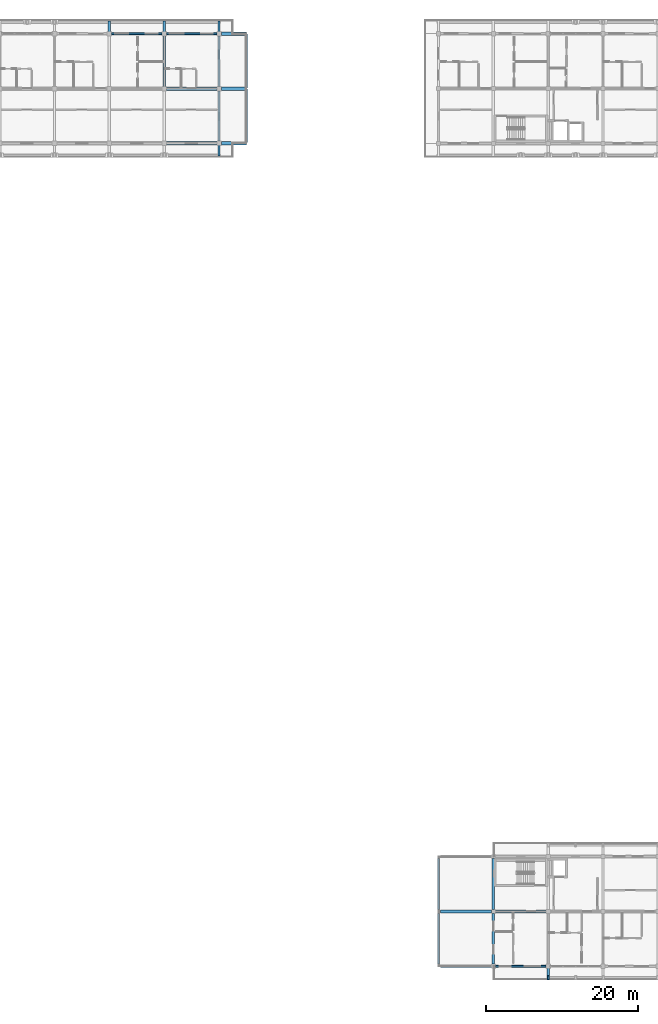
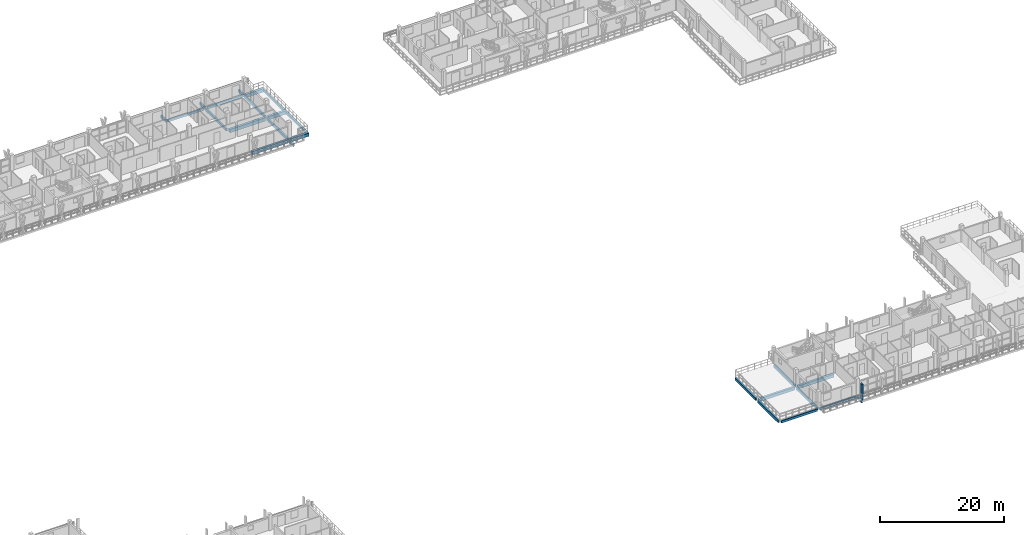
# One storey, part 18 of 65: 25 beams, 1 member.
"""IFC4 building model written with IfcOpenShell, lengths in metres."""

from ifc_helpers import new_model, si_unit, direction, frame, origin, origin_2d, place, context, subcontext, project, spatial, rectangle, extrude, material, material_profile, profile_set, type_object, element, save


model = new_model("IFC4")

# Units and contexts
model_context = context("Model", 3, precision=1e-05, world=origin(), true_north=direction((0.0, 1.0)))
body_context = subcontext(model_context, "Body", "Model", "MODEL_VIEW")
ifc_project = project(units=[si_unit("LENGTHUNIT", "METRE"), si_unit("AREAUNIT", "SQUARE_METRE"), si_unit("VOLUMEUNIT", "CUBIC_METRE"), si_unit("PLANEANGLEUNIT", "RADIAN"), si_unit("MASSUNIT", "GRAM", prefix="KILO")], contexts=[model_context])

# Site, building, storey
site_placement = place(None, origin())
site = spatial("IfcSite", under=ifc_project, at=site_placement, CompositionType="ELEMENT")
building_placement = place(site_placement, origin())
building = spatial("IfcBuilding", under=site, at=building_placement, Name="Suanplinth Sawtooth Commons", CompositionType="ELEMENT")
storey_placement = place(building_placement, frame((0.0, 0.0, 28.300048828125)))
storey = spatial("IfcBuildingStorey", under=building, at=storey_placement, Name="L08", CompositionType="ELEMENT", Elevation=28.300048828125)

# Beams
ifc_material_1 = material(Name="Precast concrete C40/50", Category="concrete")
ifc_material_profile_1 = material_profile(ifc_material_1, rectangle(XDim=0.449951171875, YDim=0.64990234375, at=origin_2d()), Name="PC-GDR 450x650")
ifc_profile_set_1 = profile_set([ifc_material_profile_1], Name="Precast concrete C40/50")
beam_type_1 = type_object("IfcBeamType", Name="B-04", PredefinedType="USERDEFINED", material=ifc_profile_set_1)
for number, where, z_axis, x_axis, name in (
    (1, (93.89990234375, 108.0, -0.53515625), (1.0, 0.0, 0.0), (0.0, 1.0, 0.0), "BMX-L08-A-13-15"),
    (2, (93.89990234375, 115.199951171875, -0.53515625), (1.0, 0.0, 0.0), (0.0, 1.0, 0.0), "BMX-L08-A-13-16"),
):
    element("IfcBeam", number, at=place(storey_placement, frame(where, z_axis=z_axis, x_axis=x_axis)), inside=storey, type_object=beam_type_1, Name=name, ObjectType="GIRDER", PredefinedType="USERDEFINED", context=body_context, shape_type="SweptSolid", body=[
        extrude(rectangle(XDim=0.449951171875, YDim=0.64990234375, at=origin_2d()), origin(), (0.0, 0.0, 1.0), 6.60009765625),
    ])
for number, where, z_axis, x_axis, name in (
    (3, (101.10009765625, 108.0, -0.53515625), (1.0, 0.0, 0.0), (0.0, 1.0, 0.0), "BMX-L08-A-ECANT-15"),
    (4, (101.10009765625, 115.199951171875, -0.53515625), (1.0, 0.0, 0.0), (0.0, 1.0, 0.0), "BMX-L08-A-ECANT-16"),
    (5, (101.10009765625, 122.39990234375, -0.53515625), (1.0, 0.0, 0.0), (0.0, 1.0, 0.0), "BMX-L08-A-ECANT-17"),
):
    element("IfcBeam", number, at=place(storey_placement, frame(where, z_axis=z_axis, x_axis=x_axis)), inside=storey, type_object=beam_type_1, Name=name, ObjectType="GIRDER", PredefinedType="USERDEFINED", context=body_context, shape_type="SweptSolid", body=[
        extrude(rectangle(XDim=0.449951171875, YDim=0.64990234375, at=origin_2d()), origin(), (0.0, 0.0, 1.0), 3.2998046875),
    ])
ifc_material_profile_2 = material_profile(ifc_material_1, rectangle(XDim=0.39990234375, YDim=0.60009765625, at=origin_2d()), Name="PC-GDR 400x600")
ifc_profile_set_2 = profile_set([ifc_material_profile_2], Name="Precast concrete C40/50")
beam_type_2 = type_object("IfcBeamType", Name="B-05", PredefinedType="USERDEFINED", material=ifc_profile_set_2)
beam_1_placement = place(storey_placement, frame((129.875, 7.199951171875, -0.510009765625), z_axis=(1.0, 0.0, 0.0), x_axis=(0.0, 1.0, 0.0)))
element("IfcBeam", 6, at=beam_1_placement, inside=storey, type_object=beam_type_2, Name="BMX-L08-C-18-1", ObjectType="GIRDER", PredefinedType="USERDEFINED", context=body_context, shape_type="SweptSolid", body=[
    extrude(rectangle(XDim=0.39990234375, YDim=0.60009765625, at=origin_2d()), origin(), (0.0, 0.0, 1.0), 6.64990234375),
])
beam_2_placement = place(storey_placement, frame((137.074951171875, 7.199951171875, -0.510009765625), z_axis=(1.0, 0.0, 0.0), x_axis=(0.0, 1.0, 0.0)))
element("IfcBeam", 7, at=beam_2_placement, inside=storey, type_object=beam_type_2, Name="BMX-L08-C-19-1", ObjectType="GIRDER", PredefinedType="USERDEFINED", context=body_context, shape_type="SweptSolid", body=[
    extrude(rectangle(XDim=0.39990234375, YDim=0.60009765625, at=origin_2d()), origin(), (0.0, 0.0, 1.0), 6.650146484375),
])
ifc_material_profile_3 = material_profile(ifc_material_1, rectangle(XDim=0.300048828125, YDim=0.5, at=origin_2d()), Name="PC-BM 300x500")
ifc_profile_set_3 = profile_set([ifc_material_profile_3], Name="Precast concrete C40/50")
beam_type_3 = type_object("IfcBeamType", Name="B-07", PredefinedType="BEAM", material=ifc_profile_set_3)
beam_3_placement = place(storey_placement, frame((93.60009765625, 115.5, -0.4599609375), z_axis=(0.0, 1.0, 0.0), x_axis=(-1.0, 0.0, 0.0)))
element("IfcBeam", 8, at=beam_3_placement, inside=storey, type_object=beam_type_3, Name="BMY-L08-A-13-16", PredefinedType="BEAM", context=body_context, shape_type="SweptSolid", body=[
    extrude(rectangle(XDim=0.300048828125, YDim=0.5, at=origin_2d()), origin(), (0.0, 0.0, 1.0), 6.60009765625),
])
beam_4_placement = place(storey_placement, frame((100.800048828125, 108.300048828125, -0.4599609375), z_axis=(0.0, 1.0, 0.0), x_axis=(-1.0, 0.0, 0.0)))
element("IfcBeam", 9, at=beam_4_placement, inside=storey, type_object=beam_type_3, Name="BMY-L08-A-14-15", PredefinedType="BEAM", context=body_context, shape_type="SweptSolid", body=[
    extrude(rectangle(XDim=0.300048828125, YDim=0.5, at=origin_2d()), origin(), (0.0, 0.0, 1.0), 6.599853515625),
])
beam_5_placement = place(storey_placement, frame((100.800048828125, 115.5, -0.4599609375), z_axis=(0.0, 1.0, 0.0), x_axis=(-1.0, 0.0, 0.0)))
element("IfcBeam", 10, at=beam_5_placement, inside=storey, type_object=beam_type_3, Name="BMY-L08-A-14-16", PredefinedType="BEAM", context=body_context, shape_type="SweptSolid", body=[
    extrude(rectangle(XDim=0.300048828125, YDim=0.5, at=origin_2d()), origin(), (0.0, 0.0, 1.0), 6.60009765625),
])
beam_6_placement = place(storey_placement, frame((129.60009765625, 0.27490234375, -0.4599609375), z_axis=(0.0, 1.0, 0.0), x_axis=(-1.0, 0.0, 0.0)))
element("IfcBeam", 11, at=beam_6_placement, inside=storey, type_object=beam_type_3, Name="BMY-L08-C-18-0", PredefinedType="BEAM", context=body_context, shape_type="SweptSolid", body=[
    extrude(rectangle(XDim=0.300048828125, YDim=0.5, at=origin_2d()), origin(), (0.0, 0.0, 1.0), 6.650146484375),
])
beam_7_placement = place(storey_placement, frame((129.60009765625, 7.47509765625, -0.4599609375), z_axis=(0.0, 1.0, 0.0), x_axis=(-1.0, 0.0, 0.0)))
element("IfcBeam", 12, at=beam_7_placement, inside=storey, type_object=beam_type_3, Name="BMY-L08-C-18-1", PredefinedType="BEAM", context=body_context, shape_type="SweptSolid", body=[
    extrude(rectangle(XDim=0.300048828125, YDim=0.5, at=origin_2d()), origin(), (0.0, 0.0, 1.0), 6.64990234375),
])
beam_8_placement = place(storey_placement, frame((136.800048828125, 0.27490234375, -0.4599609375), z_axis=(0.0, 1.0, 0.0), x_axis=(-1.0, 0.0, 0.0)))
element("IfcBeam", 13, at=beam_8_placement, inside=storey, type_object=beam_type_3, Name="BMY-L08-C-19-0", PredefinedType="BEAM", context=body_context, shape_type="SweptSolid", body=[
    extrude(rectangle(XDim=0.300048828125, YDim=0.5, at=origin_2d()), origin(), (0.0, 0.0, 1.0), 6.650146484375),
])
beam_9_placement = place(storey_placement, frame((136.800048828125, 7.47509765625, -0.4599609375), z_axis=(0.0, 1.0, 0.0), x_axis=(-1.0, 0.0, 0.0)))
element("IfcBeam", 14, at=beam_9_placement, inside=storey, type_object=beam_type_3, Name="BMY-L08-C-19-1", PredefinedType="BEAM", context=body_context, shape_type="SweptSolid", body=[
    extrude(rectangle(XDim=0.300048828125, YDim=0.5, at=origin_2d()), origin(), (0.0, 0.0, 1.0), 6.64990234375),
])
for number, where, z_axis, x_axis, name in (
    (15, (86.39990234375, 122.39990234375, -0.429931640625), (0.0, 1.0, 0.0), (-1.0, 0.0, 0.0), "Balcony Outrigger L08-A-N-12"),
    (16, (93.60009765625, 122.39990234375, -0.429931640625), (0.0, 1.0, 0.0), (-1.0, 0.0, 0.0), "Balcony Outrigger L08-A-N-13"),
    (17, (100.800048828125, 122.39990234375, -0.429931640625), (0.0, 1.0, 0.0), (-1.0, 0.0, 0.0), "Balcony Outrigger L08-A-N-14"),
):
    element("IfcBeam", number, at=place(storey_placement, frame(where, z_axis=z_axis, x_axis=x_axis)), inside=storey, type_object=beam_type_3, Name=name, PredefinedType="BEAM", context=body_context, shape_type="SweptSolid", body=[
        extrude(rectangle(XDim=0.300048828125, YDim=0.5, at=origin_2d()), origin(), (0.0, 0.0, 1.0), 1.64013671875),
    ])
for number, where, z_axis, x_axis, name in (
    (18, (100.800048828125, 108.0, -0.429931640625), (0.0, -1.0, 0.0), (1.0, 0.0, 0.0), "Balcony Outrigger L08-A-S-14"),
    (19, (144.0, 0.0, -0.429931640625), (0.0, -1.0, 0.0), (1.0, 0.0, 0.0), "Balcony Outrigger L08-C-S-20"),
):
    element("IfcBeam", number, at=place(storey_placement, frame(where, z_axis=z_axis, x_axis=x_axis)), inside=storey, type_object=beam_type_3, Name=name, PredefinedType="BEAM", context=body_context, shape_type="SweptSolid", body=[
        extrude(rectangle(XDim=0.300048828125, YDim=0.5, at=origin_2d()), origin(), (0.0, 0.0, 1.0), 1.639892578125),
    ])
ifc_material_profile_4 = material_profile(ifc_material_1, rectangle(XDim=0.25, YDim=0.449951171875, at=origin_2d()), Name="PC-SP 250x450")
ifc_profile_set_4 = profile_set([ifc_material_profile_4], Name="Precast concrete C40/50")
beam_type_4 = type_object("IfcBeamType", Name="B-09", PredefinedType="SPANDREL", material=ifc_profile_set_4)
for number, where, z_axis, x_axis, name in (
    (20, (86.699951171875, 122.39990234375, -0.43505859375), (1.0, 0.0, 0.0), (0.0, 1.0, 0.0), "BMX-L08-A-12-17"),
    (21, (93.89990234375, 122.39990234375, -0.43505859375), (1.0, 0.0, 0.0), (0.0, 1.0, 0.0), "BMX-L08-A-13-17"),
):
    element("IfcBeam", number, at=place(storey_placement, frame(where, z_axis=z_axis, x_axis=x_axis)), inside=storey, type_object=beam_type_4, Name=name, PredefinedType="SPANDREL", context=body_context, shape_type="SweptSolid", body=[
        extrude(rectangle(XDim=0.25, YDim=0.449951171875, at=origin_2d()), origin(), (0.0, 0.0, 1.0), 6.60009765625),
    ])
beam_10_placement = place(storey_placement, frame((104.39990234375, 108.139892578125, -0.53515625), z_axis=(0.0, 1.0, 0.0), x_axis=(-1.0, 0.0, 0.0)))
element("IfcBeam", 22, at=beam_10_placement, inside=storey, type_object=beam_type_4, Name="BMY-L08-A-STEP-1044-15", PredefinedType="SPANDREL", context=body_context, shape_type="SweptSolid", body=[
    extrude(rectangle(XDim=0.25, YDim=0.449951171875, at=origin_2d()), origin(), (0.0, 0.0, 1.0), 6.980224609375),
])
beam_11_placement = place(storey_placement, frame((104.39990234375, 115.340087890625, -0.53515625), z_axis=(0.0, 1.0, 0.0), x_axis=(-1.0, 0.0, 0.0)))
element("IfcBeam", 23, at=beam_11_placement, inside=storey, type_object=beam_type_4, Name="BMY-L08-A-STEP-1044-16", PredefinedType="SPANDREL", context=body_context, shape_type="SweptSolid", body=[
    extrude(rectangle(XDim=0.25, YDim=0.449951171875, at=origin_2d()), origin(), (0.0, 0.0, 1.0), 6.97998046875),
])
beam_12_placement = place(storey_placement, frame((129.875, 0.0, -0.43505859375), z_axis=(1.0, 0.0, 0.0), x_axis=(0.0, 1.0, 0.0)))
element("IfcBeam", 24, at=beam_12_placement, inside=storey, type_object=beam_type_4, Name="BMX-L08-C-18-0", PredefinedType="SPANDREL", context=body_context, shape_type="SweptSolid", body=[
    extrude(rectangle(XDim=0.25, YDim=0.449951171875, at=origin_2d()), origin(), (0.0, 0.0, 1.0), 6.64990234375),
])
beam_13_placement = place(storey_placement, frame((137.074951171875, 0.0, -0.43505859375), z_axis=(1.0, 0.0, 0.0), x_axis=(0.0, 1.0, 0.0)))
element("IfcBeam", 25, at=beam_13_placement, inside=storey, type_object=beam_type_4, Name="BMX-L08-C-19-0", PredefinedType="SPANDREL", context=body_context, shape_type="SweptSolid", body=[
    extrude(rectangle(XDim=0.25, YDim=0.449951171875, at=origin_2d()), origin(), (0.0, 0.0, 1.0), 6.650146484375),
])

# Member
ifc_material_2 = material(Name="Pigmented precast concrete C40/50", Category="concrete")
ifc_material_profile_5 = material_profile(ifc_material_2, rectangle(XDim=0.25, YDim=0.5400390625, at=origin_2d()), Name="PC-FIN 250x540")
ifc_profile_set_5 = profile_set([ifc_material_profile_5], Name="Pigmented precast concrete C40/50")
member_type = type_object("IfcMemberType", Name="M-11", PredefinedType="USERDEFINED", material=ifc_profile_set_5)
member_placement = place(storey_placement, frame((144.0, -1.52001953125, 0.0), z_axis=(0.0, 0.0, 1.0), x_axis=(1.0, 0.0, 0.0)))
element("IfcMember", 26, at=member_placement, inside=storey, type_object=member_type, Name="Upright Solar Blade L08-C-S-01", ObjectType="SHADING FIN", PredefinedType="USERDEFINED", context=body_context, shape_type="SweptSolid", body=[
    extrude(rectangle(XDim=0.25, YDim=0.5400390625, at=origin_2d()), origin(), (0.0, 0.0, 1.0), 3.030029296875),
])

save(model, "model.ifc")
